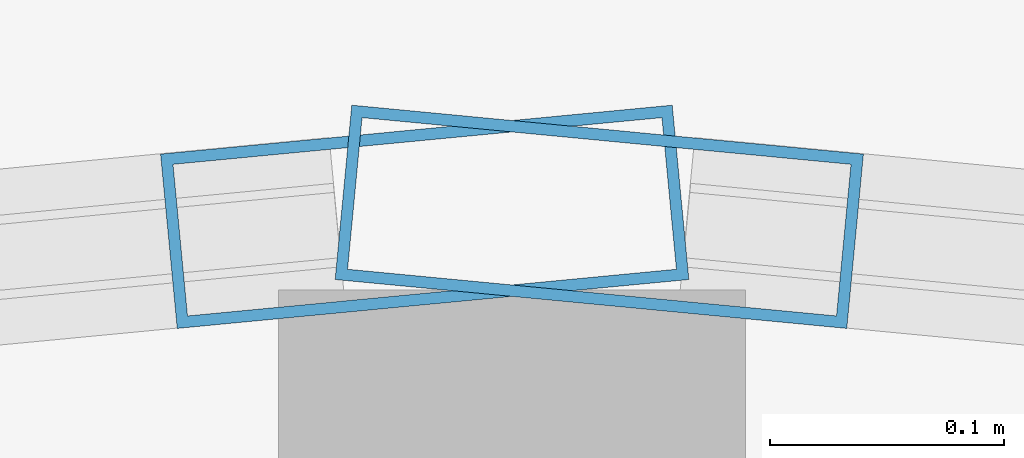
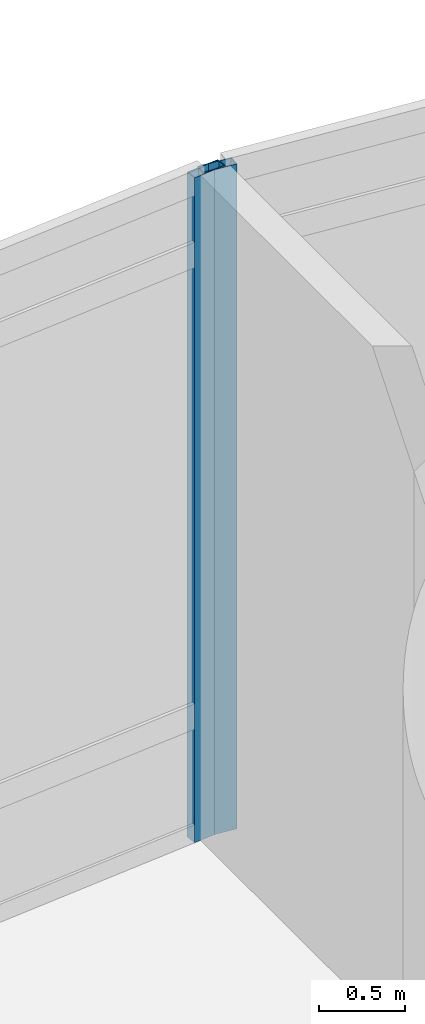
# One storey, part 22 of 34: 2 members, 2 elements without a shape of their own.
"""IFC4 building model written with IfcOpenShell, lengths in metres."""

from ifc_helpers import new_model, si_unit, direction, frame, origin, origin_2d, place, context, subcontext, project, spatial, hollow_rectangle, extrude, material, layer, layer_set, material_profile, profile_set, type_object, element, aggregate, save


model = new_model("IFC4")

# Units and contexts
model_context = context("Model", 3, precision=1e-05, world=origin(), true_north=direction((0.0, 1.0)))
body_context = subcontext(model_context, "Body", "Model", "MODEL_VIEW")
ifc_project = project(units=[si_unit("LENGTHUNIT", "METRE"), si_unit("AREAUNIT", "SQUARE_METRE"), si_unit("VOLUMEUNIT", "CUBIC_METRE"), si_unit("PLANEANGLEUNIT", "RADIAN"), si_unit("MASSUNIT", "GRAM", prefix="KILO")], contexts=[model_context])

# Site, building, storey
site_placement = place(None, origin())
site = spatial("IfcSite", under=ifc_project, at=site_placement, CompositionType="ELEMENT")
building_placement = place(site_placement, origin())
building = spatial("IfcBuilding", under=site, at=building_placement, Name="Nuhasar Tower", CompositionType="ELEMENT")
storey_placement = place(building_placement, frame((0.0, 0.0, 16.0)))
storey = spatial("IfcBuildingStorey", under=building, at=storey_placement, Name="L03", CompositionType="ELEMENT", Elevation=16.0)

# Curtain wall, member
ifc_material = material(Name="Aluminium 6063-T6", Category="aluminium")
ifc_layer = layer(ifc_material, 0.219970703125)
ifc_layer_set = layer_set([ifc_layer], Name="Aluminium 6063-T6")
curtain_wall_type = type_object("IfcCurtainWallType", Name="CW-PODIUM", PredefinedType="NOTDEFINED", material=ifc_layer_set)
curtain_wall_1_placement = place(storey_placement, origin())
curtain_wall_1 = element("IfcCurtainWall", 1, at=curtain_wall_1_placement, inside=storey, type_object=curtain_wall_type, Name="L03 Podium Curtain Wall Bay 06", PredefinedType="NOTDEFINED")
ifc_material_profile = material_profile(ifc_material, hollow_rectangle(XDim=0.074951171875, YDim=0.219970703125, WallThickness=0.0048828125, at=origin_2d()), Name="CWM-1")
ifc_profile_set = profile_set([ifc_material_profile], Name="Aluminium 6063-T6")
member_type = type_object("IfcMemberType", Name="CW-MUL-S1", PredefinedType="MULLION", material=ifc_profile_set)
member_1_placement = place(storey_placement, frame((39.037353515625, 50.486328125, 0.0), z_axis=(0.0, 0.0, 1.0), x_axis=(-0.095092686697, -0.995468422873, 0.0)))
member_1 = element("IfcMember", 2, at=member_1_placement, type_object=member_type, Name="CW-P1 mullion 2", PredefinedType="MULLION", context=body_context, shape_type="SweptSolid", body=[
    extrude(hollow_rectangle(XDim=0.074951171875, YDim=0.219970703125, WallThickness=0.0048828125, at=origin_2d()), origin(), (0.0, 0.0, 1.0), 4.739990234375),
])
aggregate(curtain_wall_1, [member_1])

curtain_wall_2_placement = place(storey_placement, origin())
curtain_wall_2 = element("IfcCurtainWall", 3, at=curtain_wall_2_placement, inside=storey, type_object=curtain_wall_type, Name="L03 Podium Curtain Wall Bay 07", PredefinedType="NOTDEFINED")
member_2_placement = place(storey_placement, frame((38.962646484375, 50.486328125, 0.0), z_axis=(0.0, 0.0, 1.0), x_axis=(0.095092686697, -0.995468422873, 0.0)))
member_2 = element("IfcMember", 4, at=member_2_placement, type_object=member_type, Name="CW-P1 mullion 1", PredefinedType="MULLION", context=body_context, shape_type="SweptSolid", body=[
    extrude(hollow_rectangle(XDim=0.074951171875, YDim=0.219970703125, WallThickness=0.0048828125, at=origin_2d()), origin(), (0.0, 0.0, 1.0), 4.739990234375),
])
aggregate(curtain_wall_2, [member_2])

save(model, "model.ifc")
